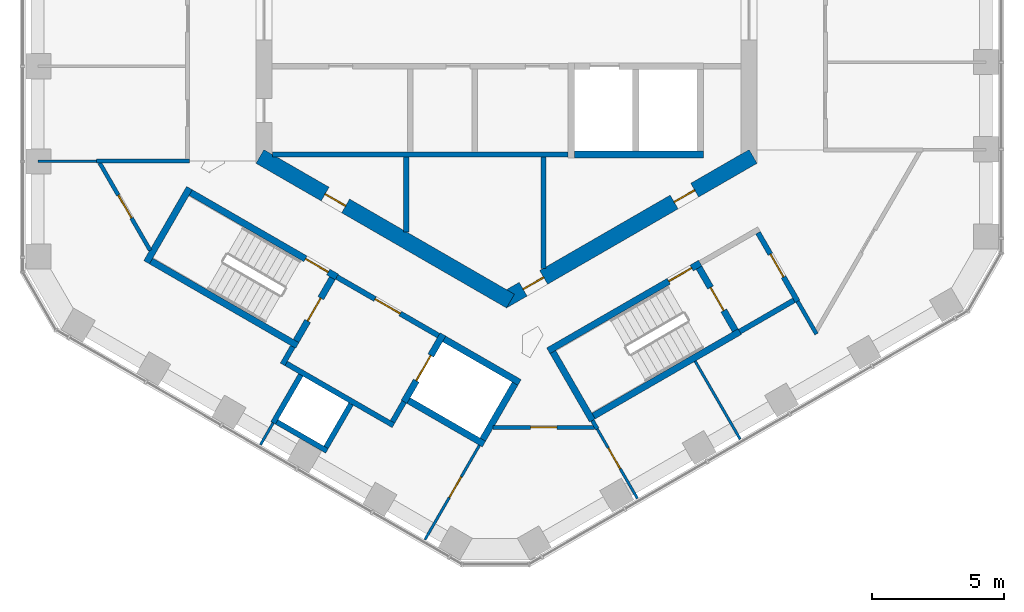
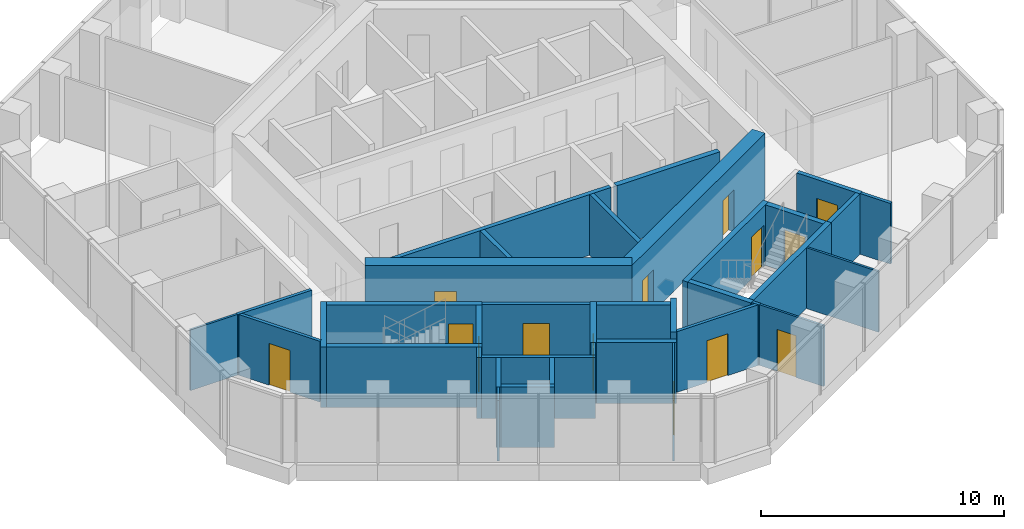
# One storey, part 13 of 18: 37 walls, 14 doors, 14 openings.
"""IFC4 building model written with IfcOpenShell, lengths in metres."""

import ifcopenshell
import ifcopenshell.guid

model = None  # the IFC model being written
_history = None  # IfcOwnerHistory: only IFC2X3 demands one
_inside = {}  # id of a spatial element -> (the spatial element, [elements in it])
_under = {}  # id of a project, library or spatial element -> (it, [spatial elements below it])
_declared = {}  # id of a project -> (the project, [libraries it declares])
_typed = {}  # id of a type object -> (the type object, [elements of that type])
_made_of = {}  # id of a material, layer set ... -> (it, [elements and type objects made of it])


def new_model(schema):
    """Start an empty IFC model of exactly this schema.

    Asked for "IFC4X3", IfcOpenShell would pick the latest addendum, in which some entities
    have other attributes; the version numbers below select the first issue.
    IFC2X3 requires an IfcOwnerHistory on every rooted entity: one is made here for all.
    """
    global model, _history
    if schema == "IFC4X3":
        model = ifcopenshell.file(schema_version=(4, 3, 0, 0))
    else:
        model = ifcopenshell.file(schema=schema)
    _inside.clear()
    _under.clear()
    _declared.clear()
    _typed.clear()
    _made_of.clear()
    _history = None
    if model.schema == "IFC2X3":
        org = make("IfcOrganization", Name="unknown")
        user = make(
            "IfcPersonAndOrganization",
            ThePerson=make("IfcPerson", FamilyName="unknown"),
            TheOrganization=org,
        )
        app = make(
            "IfcApplication",
            ApplicationDeveloper=org,
            Version="unknown",
            ApplicationFullName="unknown",
            ApplicationIdentifier="unknown",
        )
        _history = make(
            "IfcOwnerHistory",
            OwningUser=user,
            OwningApplication=app,
            ChangeAction="ADDED",
            CreationDate=0,
        )
    return model


def make(cls, **values):
    """One entity of the class cls with the attributes given. An attribute that is None is left unset."""
    return model.create_entity(
        cls, **{name: value for name, value in values.items() if value is not None}
    )


def rooted(cls, **values):
    """An entity with a GlobalId (a new one), such as an element, a storey or a relation."""
    return make(cls, GlobalId=ifcopenshell.guid.new(), OwnerHistory=_history, **values)


def si_unit(unit_type, name, prefix=None):
    """IfcSIUnit, for example si_unit("LENGTHUNIT", "METRE", prefix="MILLI")."""
    return make("IfcSIUnit", UnitType=unit_type, Prefix=prefix, Name=name)


def assignment(units):
    """IfcUnitAssignment: the units of a project."""
    return None if units is None else make("IfcUnitAssignment", Units=units)


def point(xyz):
    """IfcCartesianPoint."""
    return None if xyz is None else make("IfcCartesianPoint", Coordinates=xyz)


def direction(xyz):
    """IfcDirection."""
    return None if xyz is None else make("IfcDirection", DirectionRatios=xyz)


def frame(location, z_axis=None, x_axis=None):
    """IfcAxis2Placement3D, a coordinate frame: its origin and axes. An axis left out is left unset."""
    return make(
        "IfcAxis2Placement3D",
        Location=point(location),
        Axis=direction(z_axis),
        RefDirection=direction(x_axis),
    )


def frame_2d(location, x_axis=None):
    """IfcAxis2Placement2D, a coordinate frame in the plane: its origin and x axis."""
    return make(
        "IfcAxis2Placement2D", Location=point(location), RefDirection=direction(x_axis)
    )


def origin():
    """The frame at (0, 0, 0) with its axes left unset."""
    return frame((0.0, 0.0, 0.0))


def place(relative_to, where):
    """IfcLocalPlacement: puts the frame where relative to a parent placement (None: the world)."""
    return make(
        "IfcLocalPlacement", PlacementRelTo=relative_to, RelativePlacement=where
    )


def context(
    kind, dimensions, precision=None, world=None, true_north=None, identifier=None
):
    """IfcGeometricRepresentationContext, for example the 3D "Model" context."""
    return make(
        "IfcGeometricRepresentationContext",
        ContextIdentifier=identifier,
        ContextType=kind,
        CoordinateSpaceDimension=dimensions,
        Precision=precision,
        WorldCoordinateSystem=world,
        TrueNorth=true_north,
    )


def subcontext(parent, identifier, kind, view, scale=None):
    """IfcGeometricRepresentationSubContext, for example "Body" below "Model"."""
    return make(
        "IfcGeometricRepresentationSubContext",
        ContextIdentifier=identifier,
        ContextType=kind,
        ParentContext=parent,
        TargetScale=scale,
        TargetView=view,
    )


def project(units=None, contexts=None):
    """IfcProject with its units and contexts."""
    return rooted(
        "IfcProject",
        Name="project",
        RepresentationContexts=contexts,
        UnitsInContext=assignment(units),
    )


def spatial(cls, under=None, at=None, **own):
    """A site, building, storey or space (cls), placed at a placement, below another one or the project."""
    s = rooted(cls, ObjectPlacement=at, **own)
    if under is not None:
        _under.setdefault(under.id(), (under, []))[1].append(s)
    return s


def profile(cls, at=None, kind="AREA", **sizes):
    """A parametric profile (cls). Its sizes go by their IFC names, for example OverallWidth=200.0."""
    return make(cls, ProfileType=kind, Position=at, **sizes)


def rectangle(**sizes):
    """IfcRectangleProfileDef."""
    return profile("IfcRectangleProfileDef", **sizes)


def extrude(swept, where, along, depth):
    """IfcExtrudedAreaSolid: the profile swept, set in the frame where, extruded along a direction by depth."""
    return make(
        "IfcExtrudedAreaSolid",
        SweptArea=swept,
        Position=where,
        ExtrudedDirection=direction(along),
        Depth=depth,
    )


def shape(context_of_items, identifier, shape_type, items):
    """IfcShapeRepresentation: the items that make up one representation, for example the "Body"."""
    return make(
        "IfcShapeRepresentation",
        ContextOfItems=context_of_items,
        RepresentationIdentifier=identifier,
        RepresentationType=shape_type,
        Items=items,
    )


def material(Name=None, Category=None):
    """IfcMaterial."""
    return make("IfcMaterial", Name=Name, Category=Category)


def layer(
    of_material, thickness, ventilated=None, Name=None, Category=None, Priority=None
):
    """IfcMaterialLayer: one layer of a wall or slab, of a material (None: an air gap)."""
    return make(
        "IfcMaterialLayer",
        Material=of_material,
        LayerThickness=thickness,
        IsVentilated=ventilated,
        Name=Name,
        Category=Category,
        Priority=Priority,
    )


def layer_set(layers, Name=None):
    """IfcMaterialLayerSet."""
    return make("IfcMaterialLayerSet", MaterialLayers=layers, LayerSetName=Name)


def made_of(thing, what):
    """Note that an element or type object is made of a material, layer set ...; save() writes the relation."""
    if what is not None:
        _made_of.setdefault(what.id(), (what, []))[1].append(thing)
    return thing


def type_object(cls, material=None, **own):
    """A type object (cls), such as IfcWallType, which elements share."""
    return made_of(rooted(cls, **own), material)


def element(
    cls,
    number,
    at=None,
    inside=None,
    cuts=None,
    type_object=None,
    material=None,
    context=None,
    identifier="Body",
    shape_type=None,
    held_by="IfcProductDefinitionShape",
    body=None,
    shapes=None,
    **own,
):
    """One element of the class cls, such as IfcWall. Its Tag is "e" and its number.

    at: its placement. inside: the storey or other place that contains it. cuts: it is an
    opening in that element (IfcRelVoidsElement). A single representation is given by context,
    identifier, shape_type and body (its items); several are given by shapes. held_by: the class
    of the entity that holds the representations. save() writes the other relations.
    """
    e = rooted(cls, Tag="e%d" % number, ObjectPlacement=at, **own)
    if body is not None:
        shapes = [shape(context, identifier, shape_type, body)]
    if shapes is not None:
        e.Representation = make(held_by, Representations=shapes)
    if inside is not None:
        _inside.setdefault(inside.id(), (inside, []))[1].append(e)
    if cuts is not None:
        rooted(
            "IfcRelVoidsElement", RelatingBuildingElement=cuts, RelatedOpeningElement=e
        )
    if type_object is not None:
        _typed.setdefault(type_object.id(), (type_object, []))[1].append(e)
    return made_of(e, material)


def fill(opening, filler):
    """IfcRelFillsElement: the door or window that sits in an opening."""
    return rooted(
        "IfcRelFillsElement",
        RelatingOpeningElement=opening,
        RelatedBuildingElement=filler,
    )


def aggregate(whole, parts):
    """IfcRelAggregates: a whole, such as a stair, and the parts it consists of."""
    return rooted("IfcRelAggregates", RelatingObject=whole, RelatedObjects=parts)


def save(model, path):
    """Write the relations noted so far, then the file.

    IfcRelAggregates (storeys below a building ...), IfcRelContainedInSpatialStructure (elements
    in a storey), IfcRelDefinesByType, IfcRelAssociatesMaterial and IfcRelDeclares: one each for
    every whole, place, type object, material and project.
    """
    for whole, parts in _under.values():
        aggregate(whole, parts)
    for where, things in _inside.values():
        rooted(
            "IfcRelContainedInSpatialStructure",
            RelatedElements=things,
            RelatingStructure=where,
        )
    for kind, things in _typed.values():
        rooted("IfcRelDefinesByType", RelatedObjects=things, RelatingType=kind)
    for what, things in _made_of.values():
        rooted("IfcRelAssociatesMaterial", RelatedObjects=things, RelatingMaterial=what)
    for by, libraries in _declared.values():
        rooted("IfcRelDeclares", RelatingContext=by, RelatedDefinitions=libraries)
    model.write(path)


model = new_model("IFC4")

# Units and contexts
model_context = context("Model", 3, precision=1e-05, world=origin(), true_north=direction((0.0, 1.0)))
body_context = subcontext(model_context, "Body", "Model", "MODEL_VIEW")
ifc_project = project(units=[si_unit("LENGTHUNIT", "METRE"), si_unit("AREAUNIT", "SQUARE_METRE"), si_unit("VOLUMEUNIT", "CUBIC_METRE"), si_unit("PLANEANGLEUNIT", "RADIAN"), si_unit("MASSUNIT", "GRAM", prefix="KILO")], contexts=[model_context])

# Site, building, storey
site_placement = place(None, origin())
site = spatial("IfcSite", under=ifc_project, at=site_placement, CompositionType="ELEMENT")
building_placement = place(site_placement, origin())
building = spatial("IfcBuilding", under=site, at=building_placement, Name="Ayvan Gate Tower", CompositionType="ELEMENT")
storey_placement = place(building_placement, frame((0.0, 0.0, 176.5)))
storey = spatial("IfcBuildingStorey", under=building, at=storey_placement, Name="L47", CompositionType="ELEMENT", Elevation=176.5)

# Wall, opening, door
ifc_material_1 = material(Name="Concrete C60/75", Category="concrete")
ifc_layer_1 = layer(ifc_material_1, 0.60009765625)
ifc_layer_set_1 = layer_set([ifc_layer_1], Name="Concrete C60/75")
wall_type_1 = type_object("IfcWallType", Name="Core wall 600 C60/75", PredefinedType="SHEAR", material=ifc_layer_set_1)
wall_1_placement = place(storey_placement, frame((-9.35009765625, -5.22509765625, 0.0), z_axis=(0.0, 0.0, 1.0), x_axis=(0.866023993627, -0.500002442456, 0.0)))
wall_1 = element("IfcWall", 1, at=wall_1_placement, inside=storey, type_object=wall_type_1, Name="CORE-L47-4", PredefinedType="SHEAR", context=body_context, shape_type="SweptSolid", body=[
    extrude(rectangle(XDim=10.9697265625, YDim=0.60009765625, at=frame_2d((5.48486328125, 0.0))), origin(), (0.0, 0.0, 1.0), 3.39990234375),
])
opening_1_placement = place(wall_1_placement, frame((2.85302734375, 0.0, 0.0)))
opening_1 = element("IfcOpeningElement", 2, at=opening_1_placement, cuts=wall_1, Name="Opening L47-D43", PredefinedType="OPENING", context=body_context, shape_type="SweptSolid", body=[
    extrude(rectangle(XDim=0.89990234375, YDim=2.10009765625, at=frame_2d((0.449951171875, 1.050048828125))), frame((0.0, 0.31005859375, 0.0), z_axis=(0.0, -1.0, 0.0), x_axis=(1.0, 0.0, 0.0)), (0.0, 0.0, 1.0), 0.6201171875),
])
ifc_material_2 = material(Name="Timber door leaf", Category="wood")
door_type_1 = type_object("IfcDoorType", Name="DT-900", OperationType="NOTDEFINED", PredefinedType="DOOR", material=ifc_material_2)
door_1_placement = place(opening_1_placement, origin())
door_1 = element("IfcDoor", 3, at=door_1_placement, inside=storey, type_object=door_type_1, Name="CD-L47-43", OperationType="SINGLE_SWING_RIGHT", OverallHeight=2.10009765625, OverallWidth=0.89990234375, PredefinedType="DOOR", context=body_context, shape_type="SweptSolid", body=[
    extrude(rectangle(XDim=0.89990234375, YDim=2.10009765625, at=frame_2d((0.449951171875, 1.050048828125))), frame((0.0, 0.02490234375, 0.0), z_axis=(0.0, -1.0, 0.0), x_axis=(1.0, 0.0, 0.0)), (0.0, 0.0, 1.0), 0.050048828125),
])
fill(opening_1, door_1)

# Wall, openings, doors
wall_2_placement = place(storey_placement, frame((-0.14990234375, -10.7099609375, 0.0), z_axis=(0.0, 0.0, 1.0), x_axis=(0.866023993627, 0.500002442456, 0.0)))
wall_2 = element("IfcWall", 4, at=wall_2_placement, inside=storey, type_object=wall_type_1, Name="CORE-L47-5", PredefinedType="SHEAR", context=body_context, shape_type="SweptSolid", body=[
    extrude(rectangle(XDim=10.9697265625, YDim=0.60009765625, at=frame_2d((5.48486328125, 0.0))), origin(), (0.0, 0.0, 1.0), 3.39990234375),
])
opening_2_placement = place(wall_2_placement, frame((0.89990234375, 0.0, 0.0)))
opening_2 = element("IfcOpeningElement", 5, at=opening_2_placement, cuts=wall_2, Name="Opening L47-D44", PredefinedType="OPENING", context=body_context, shape_type="SweptSolid", body=[
    extrude(rectangle(XDim=0.89990234375, YDim=2.10009765625, at=frame_2d((0.449951171875, 1.050048828125))), frame((0.0, 0.31005859375, 0.0), z_axis=(0.0, -1.0, 0.0), x_axis=(1.0, 0.0, 0.0)), (0.0, 0.0, 1.0), 0.6201171875),
])
opening_3_placement = place(wall_2_placement, frame((7.51220703125, 0.0, 0.0)))
opening_3 = element("IfcOpeningElement", 6, at=opening_3_placement, cuts=wall_2, Name="Opening L47-D45", PredefinedType="OPENING", context=body_context, shape_type="SweptSolid", body=[
    extrude(rectangle(XDim=0.89990234375, YDim=2.10009765625, at=frame_2d((0.449951171875, 1.050048828125))), frame((0.0, 0.31005859375, 0.0), z_axis=(0.0, -1.0, 0.0), x_axis=(1.0, 0.0, 0.0)), (0.0, 0.0, 1.0), 0.6201171875),
])
door_2_placement = place(opening_2_placement, origin())
door_2 = element("IfcDoor", 7, at=door_2_placement, inside=storey, type_object=door_type_1, Name="CD-L47-44", OperationType="SINGLE_SWING_LEFT", OverallHeight=2.10009765625, OverallWidth=0.89990234375, PredefinedType="DOOR", context=body_context, shape_type="SweptSolid", body=[
    extrude(rectangle(XDim=0.89990234375, YDim=2.10009765625, at=frame_2d((0.449951171875, 1.050048828125))), frame((0.0, 0.02490234375, 0.0), z_axis=(0.0, -1.0, 0.0), x_axis=(1.0, 0.0, 0.0)), (0.0, 0.0, 1.0), 0.050048828125),
])
fill(opening_2, door_2)
door_3_placement = place(opening_3_placement, origin())
door_3 = element("IfcDoor", 8, at=door_3_placement, inside=storey, type_object=door_type_1, Name="CD-L47-45", OperationType="SINGLE_SWING_RIGHT", OverallHeight=2.10009765625, OverallWidth=0.89990234375, PredefinedType="DOOR", context=body_context, shape_type="SweptSolid", body=[
    extrude(rectangle(XDim=0.89990234375, YDim=2.10009765625, at=frame_2d((0.449951171875, 1.050048828125))), frame((0.0, 0.02490234375, 0.0), z_axis=(0.0, -1.0, 0.0), x_axis=(1.0, 0.0, 0.0)), (0.0, 0.0, 1.0), 0.050048828125),
])
fill(opening_3, door_3)

# Wall
ifc_material_3 = material(Name="Plasterboard on steel stud", Category="steel")
ifc_layer_2 = layer(ifc_material_3, 0.14990234375)
ifc_layer_set_2 = layer_set([ifc_layer_2], Name="Plasterboard on steel stud")
wall_type_2 = type_object("IfcWallType", Name="WT-CORR-150", PredefinedType="PARTITIONING", material=ifc_layer_set_2)
wall_3_placement = place(storey_placement, frame((-15.540771484375, -5.40478515625, 0.0), z_axis=(0.0, 0.0, 1.0), x_axis=(1.0, 0.0, 0.0)))
element("IfcWall", 9, at=wall_3_placement, inside=storey, type_object=wall_type_2, Name="IW-L47-000", PredefinedType="PARTITIONING", context=body_context, shape_type="SweptSolid", body=[
    extrude(rectangle(XDim=3.515869140625, YDim=0.14990234375, at=frame_2d((1.7578125, 0.0))), origin(), (0.0, 0.0, 1.0), 3.050048828125),
])

# Wall, opening, door
wall_4_placement = place(storey_placement, frame((-13.512451171875, -8.787841796875, 0.0), z_axis=(0.0, 0.0, 1.0), x_axis=(-0.499983520007, 0.866034918304, 0.0)))
wall_4 = element("IfcWall", 10, at=wall_4_placement, inside=storey, type_object=wall_type_2, Name="IW-L47-007", PredefinedType="PARTITIONING", context=body_context, shape_type="SweptSolid", body=[
    extrude(rectangle(XDim=3.831787109375, YDim=0.14990234375, at=frame_2d((1.916015625, 0.0))), origin(), (0.0, 0.0, 1.0), 3.050048828125),
])
opening_4_placement = place(wall_4_placement, frame((1.415771484375, 0.0, 0.0)))
opening_4 = element("IfcOpeningElement", 11, at=opening_4_placement, cuts=wall_4, Name="Opening L47-D32", PredefinedType="OPENING", context=body_context, shape_type="SweptSolid", body=[
    extrude(rectangle(XDim=1.0, YDim=2.10009765625, at=frame_2d((0.5, 1.050048828125))), frame((0.0, 0.0849609375, 0.0), z_axis=(0.0, -1.0, 0.0), x_axis=(1.0, 0.0, 0.0)), (0.0, 0.0, 1.0), 0.169921875),
])
door_type_2 = type_object("IfcDoorType", Name="DT-1000", OperationType="NOTDEFINED", PredefinedType="DOOR", material=ifc_material_2)
door_4_placement = place(opening_4_placement, origin())
door_4 = element("IfcDoor", 12, at=door_4_placement, inside=storey, type_object=door_type_2, Name="ID-L47-032", OperationType="SINGLE_SWING_LEFT", OverallHeight=2.10009765625, OverallWidth=1.0, PredefinedType="DOOR", context=body_context, shape_type="SweptSolid", body=[
    extrude(rectangle(XDim=1.0, YDim=2.10009765625, at=frame_2d((0.5, 1.050048828125))), frame((0.0, 0.02490234375, 0.0), z_axis=(0.0, -1.0, 0.0), x_axis=(1.0, 0.0, 0.0)), (0.0, 0.0, 1.0), 0.050048828125),
])
fill(opening_4, door_4)

# Wall
wall_5_placement = place(storey_placement, frame((3.255615234375, -15.23876953125, 0.0), z_axis=(0.0, 0.0, 1.0), x_axis=(0.499949632511, -0.866054481515, 0.0)))
element("IfcWall", 13, at=wall_5_placement, inside=storey, type_object=wall_type_2, Name="IW-L47-058", PredefinedType="PARTITIONING", context=body_context, shape_type="SweptSolid", body=[
    extrude(rectangle(XDim=0.3720703125, YDim=0.14990234375, at=frame_2d((0.18603515625, 0.0))), origin(), (0.0, 0.0, 1.0), 3.050048828125),
])

# Wall, opening, door
wall_6_placement = place(storey_placement, frame((3.3291015625, -15.49609375, 0.0), z_axis=(0.0, 0.0, 1.0), x_axis=(-1.0, 0.0, 0.0)))
wall_6 = element("IfcWall", 14, at=wall_6_placement, inside=storey, type_object=wall_type_2, Name="IW-L47-061", PredefinedType="PARTITIONING", context=body_context, shape_type="SweptSolid", body=[
    extrude(rectangle(XDim=3.8369140625, YDim=0.14990234375, at=frame_2d((1.91845703125, 0.0))), origin(), (0.0, 0.0, 1.0), 3.050048828125),
])
opening_5_placement = place(wall_6_placement, frame((1.41845703125, 0.0, 0.0)))
opening_5 = element("IfcOpeningElement", 15, at=opening_5_placement, cuts=wall_6, Name="Opening L47-D33", PredefinedType="OPENING", context=body_context, shape_type="SweptSolid", body=[
    extrude(rectangle(XDim=1.0, YDim=2.10009765625, at=frame_2d((0.5, 1.050048828125))), frame((0.0, 0.0849609375, 0.0), z_axis=(0.0, -1.0, 0.0), x_axis=(1.0, 0.0, 0.0)), (0.0, 0.0, 1.0), 0.169921875),
])
door_5_placement = place(opening_5_placement, origin())
door_5 = element("IfcDoor", 16, at=door_5_placement, inside=storey, type_object=door_type_2, Name="ID-L47-033", OperationType="SINGLE_SWING_RIGHT", OverallHeight=2.10009765625, OverallWidth=1.0, PredefinedType="DOOR", context=body_context, shape_type="SweptSolid", body=[
    extrude(rectangle(XDim=1.0, YDim=2.10009765625, at=frame_2d((0.5, 1.050048828125))), frame((0.0, 0.02490234375, 0.0), z_axis=(0.0, -1.0, 0.0), x_axis=(1.0, 0.0, 0.0)), (0.0, 0.0, 1.0), 0.050048828125),
])
fill(opening_5, door_5)

# Walls
wall_7_placement = place(storey_placement, frame((11.75537109375, -11.9609375, 0.0), z_axis=(0.0, 0.0, 1.0), x_axis=(-0.49992355341, 0.866069535745, 0.0)))
element("IfcWall", 17, at=wall_7_placement, inside=storey, type_object=wall_type_2, Name="IW-L47-084", PredefinedType="PARTITIONING", context=body_context, shape_type="SweptSolid", body=[
    extrude(rectangle(XDim=1.436279296875, YDim=0.14990234375, at=frame_2d((0.71826171875, 0.0))), origin(), (0.0, 0.0, 1.0), 3.050048828125),
])
ifc_layer_3 = layer(ifc_material_3, 0.10009765625)
ifc_layer_set_3 = layer_set([ifc_layer_3], Name="Plasterboard on steel stud")
wall_type_3 = type_object("IfcWallType", Name="WT-PART-100", PredefinedType="PARTITIONING", material=ifc_layer_set_3)
wall_8_placement = place(storey_placement, frame((-15.54052734375, -5.40478515625, 0.0), z_axis=(0.0, 0.0, 1.0), x_axis=(-1.0, 0.0, 0.0)))
element("IfcWall", 18, at=wall_8_placement, inside=storey, type_object=wall_type_3, Name="IW-L47-003", PredefinedType="PARTITIONING", context=body_context, shape_type="SweptSolid", body=[
    extrude(rectangle(XDim=2.23046875, YDim=0.10009765625, at=frame_2d((1.115234375, 0.0))), origin(), (0.0, 0.0, 1.0), 3.050048828125),
])
wall_9_placement = place(storey_placement, frame((-9.328857421875, -16.157958984375, 0.0), z_axis=(0.0, 0.0, 1.0), x_axis=(0.499950501706, 0.866053979752, 0.0)))
element("IfcWall", 19, at=wall_9_placement, inside=storey, type_object=wall_type_3, Name="IW-L47-021", PredefinedType="PARTITIONING", context=body_context, shape_type="SweptSolid", body=[
    extrude(rectangle(XDim=0.95751953125, YDim=0.10009765625, at=frame_2d((0.478759765625, 0.0))), origin(), (0.0, 0.0, 1.0), 3.050048828125),
])

# Wall, opening, door
wall_10_placement = place(storey_placement, frame((-3.093505859375, -19.7578125, 0.0), z_axis=(0.0, 0.0, 1.0), x_axis=(0.500027577057, 0.866009481578, 0.0)))
wall_10 = element("IfcWall", 20, at=wall_10_placement, inside=storey, type_object=wall_type_3, Name="IW-L47-039", PredefinedType="PARTITIONING", context=body_context, shape_type="SweptSolid", body=[
    extrude(rectangle(XDim=4.132568359375, YDim=0.10009765625, at=frame_2d((2.06640625, 0.0))), origin(), (0.0, 0.0, 1.0), 3.050048828125),
])
opening_6_placement = place(wall_10_placement, frame((1.851806640625, 0.0, 0.0)))
opening_6 = element("IfcOpeningElement", 21, at=opening_6_placement, cuts=wall_10, Name="Opening L47-D34", PredefinedType="OPENING", context=body_context, shape_type="SweptSolid", body=[
    extrude(rectangle(XDim=0.89990234375, YDim=2.10009765625, at=frame_2d((0.449951171875, 1.050048828125))), frame((0.0, 0.06005859375, 0.0), z_axis=(0.0, -1.0, 0.0), x_axis=(1.0, 0.0, 0.0)), (0.0, 0.0, 1.0), 0.1201171875),
])
door_6_placement = place(opening_6_placement, origin())
door_6 = element("IfcDoor", 22, at=door_6_placement, inside=storey, type_object=door_type_1, Name="ID-L47-034", OperationType="SINGLE_SWING_LEFT", OverallHeight=2.10009765625, OverallWidth=0.89990234375, PredefinedType="DOOR", context=body_context, shape_type="SweptSolid", body=[
    extrude(rectangle(XDim=0.89990234375, YDim=2.10009765625, at=frame_2d((0.449951171875, 1.050048828125))), frame((0.0, 0.02490234375, 0.0), z_axis=(0.0, -1.0, 0.0), x_axis=(1.0, 0.0, 0.0)), (0.0, 0.0, 1.0), 0.050048828125),
])
fill(opening_6, door_6)

wall_11_placement = place(storey_placement, frame((3.441650390625, -15.56103515625, 0.0), z_axis=(0.0, 0.0, 1.0), x_axis=(0.500002389912, -0.866024023964, 0.0)))
wall_11 = element("IfcWall", 23, at=wall_11_placement, inside=storey, type_object=wall_type_3, Name="IW-L47-062", PredefinedType="PARTITIONING", context=body_context, shape_type="SweptSolid", body=[
    extrude(rectangle(XDim=3.044921875, YDim=0.10009765625, at=frame_2d((1.5224609375, 0.0))), origin(), (0.0, 0.0, 1.0), 3.050048828125),
])
opening_7_placement = place(wall_11_placement, frame((0.8369140625, 0.0, 0.0)))
opening_7 = element("IfcOpeningElement", 24, at=opening_7_placement, cuts=wall_11, Name="Opening L47-D35", PredefinedType="OPENING", context=body_context, shape_type="SweptSolid", body=[
    extrude(rectangle(XDim=0.89990234375, YDim=2.10009765625, at=frame_2d((0.449951171875, 1.050048828125))), frame((0.0, 0.06005859375, 0.0), z_axis=(0.0, -1.0, 0.0), x_axis=(1.0, 0.0, 0.0)), (0.0, 0.0, 1.0), 0.1201171875),
])
door_7_placement = place(opening_7_placement, origin())
door_7 = element("IfcDoor", 25, at=door_7_placement, inside=storey, type_object=door_type_1, Name="ID-L47-035", OperationType="SINGLE_SWING_RIGHT", OverallHeight=2.10009765625, OverallWidth=0.89990234375, PredefinedType="DOOR", context=body_context, shape_type="SweptSolid", body=[
    extrude(rectangle(XDim=0.89990234375, YDim=2.10009765625, at=frame_2d((0.449951171875, 1.050048828125))), frame((0.0, 0.02490234375, 0.0), z_axis=(0.0, -1.0, 0.0), x_axis=(1.0, 0.0, 0.0)), (0.0, 0.0, 1.0), 0.050048828125),
])
fill(opening_7, door_7)

# Walls
wall_12_placement = place(storey_placement, frame((7.152587890625, -12.98876953125, 0.0), z_axis=(0.0, 0.0, 1.0), x_axis=(0.4999966448, -0.866027340901, 0.0)))
element("IfcWall", 26, at=wall_12_placement, inside=storey, type_object=wall_type_3, Name="IW-L47-071", PredefinedType="PARTITIONING", context=body_context, shape_type="SweptSolid", body=[
    extrude(rectangle(XDim=3.4169921875, YDim=0.10009765625, at=frame_2d((1.70849609375, 0.0))), origin(), (0.0, 0.0, 1.0), 3.050048828125),
])
ifc_layer_4 = layer(ifc_material_3, 0.199951171875)
ifc_layer_set_4 = layer_set([ifc_layer_4], Name="Plasterboard on steel stud")
wall_type_4 = type_object("IfcWallType", Name="WT-PLUMB-200", PredefinedType="PLUMBINGWALL", material=ifc_layer_set_4)
wall_13_placement = place(storey_placement, frame((-8.85009765625, -15.32861328125, 0.0), z_axis=(0.0, 0.0, 1.0), x_axis=(0.500027713859, 0.866009402589, 0.0)))
element("IfcWall", 27, at=wall_13_placement, inside=storey, type_object=wall_type_4, Name="IW-L47-018", PredefinedType="PLUMBINGWALL", context=body_context, shape_type="SweptSolid", body=[
    extrude(rectangle(XDim=2.10009765625, YDim=0.199951171875, at=frame_2d((1.050048828125, 0.0))), origin(), (0.0, 0.0, 1.0), 3.050048828125),
])
wall_14_placement = place(storey_placement, frame((-6.80810546875, -16.39208984375, 0.0), z_axis=(0.0, 0.0, 1.0), x_axis=(-0.866008176907, 0.50002983664, 0.0)))
element("IfcWall", 28, at=wall_14_placement, inside=storey, type_object=wall_type_4, Name="IW-L47-026", PredefinedType="PLUMBINGWALL", context=body_context, shape_type="SweptSolid", body=[
    extrude(rectangle(XDim=2.199951171875, YDim=0.199951171875, at=frame_2d((1.10009765625, 0.0))), origin(), (0.0, 0.0, 1.0), 3.050048828125),
])
wall_15_placement = place(storey_placement, frame((-5.894775390625, -14.610107421875, 0.0), z_axis=(0.0, 0.0, 1.0), x_axis=(-0.500022797313, -0.86601224135, 0.0)))
element("IfcWall", 29, at=wall_15_placement, inside=storey, type_object=wall_type_4, Name="IW-L47-030", PredefinedType="PLUMBINGWALL", context=body_context, shape_type="SweptSolid", body=[
    extrude(rectangle(XDim=1.89990234375, YDim=0.199951171875, at=frame_2d((0.949951171875, 0.0))), origin(), (0.0, 0.0, 1.0), 3.050048828125),
])
ifc_layer_5 = layer(ifc_material_3, 0.199951171875)
ifc_layer_set_5 = layer_set([ifc_layer_5], Name="Plasterboard on steel stud")
wall_type_5 = type_object("IfcWallType", Name="WT-RATED-200", PredefinedType="PARTITIONING", material=ifc_layer_set_5)
wall_16_placement = place(storey_placement, frame((-8.8798828125, -5.14990234375, 0.0), z_axis=(0.0, 0.0, 1.0), x_axis=(1.0, 0.0, 0.0)))
element("IfcWall", 30, at=wall_16_placement, inside=storey, type_object=wall_type_5, Name="IW-L47-017", PredefinedType="PARTITIONING", context=body_context, shape_type="SweptSolid", body=[
    extrude(rectangle(XDim=11.205078125, YDim=0.199951171875, at=frame_2d((5.6025390625, 0.0))), origin(), (0.0, 0.0, 1.0), 3.050048828125),
])
wall_17_placement = place(storey_placement, frame((-8.492919921875, -13.110107421875, 0.0), z_axis=(0.0, 0.0, 1.0), x_axis=(0.500067724834, 0.865986299303, 0.0)))
element("IfcWall", 31, at=wall_17_placement, inside=storey, type_object=wall_type_5, Name="IW-L47-019", PredefinedType="PARTITIONING", context=body_context, shape_type="SweptSolid", body=[
    extrude(rectangle(XDim=0.775390625, YDim=0.199951171875, at=frame_2d((0.3876953125, 0.0))), origin(), (0.0, 0.0, 1.0), 3.050048828125),
])
wall_18_placement = place(storey_placement, frame((-8.356201171875, -13.073486328125, 0.0), z_axis=(0.0, 0.0, 1.0), x_axis=(0.866038532462, -0.499977259774, 0.0)))
element("IfcWall", 32, at=wall_18_placement, inside=storey, type_object=wall_type_5, Name="IW-L47-022", PredefinedType="PARTITIONING", context=body_context, shape_type="SweptSolid", body=[
    extrude(rectangle(XDim=4.699951171875, YDim=0.199951171875, at=frame_2d((2.35009765625, 0.0))), origin(), (0.0, 0.0, 1.0), 3.050048828125),
])

# Wall, opening, door
wall_19_placement = place(storey_placement, frame((-6.4345703125, -9.794921875, 0.0), z_axis=(0.0, 0.0, 1.0), x_axis=(0.866012907634, -0.500021643343, 0.0)))
wall_19 = element("IfcWall", 33, at=wall_19_placement, inside=storey, type_object=wall_type_5, Name="IW-L47-029", PredefinedType="PARTITIONING", context=body_context, shape_type="SweptSolid", body=[
    extrude(rectangle(XDim=4.449951171875, YDim=0.199951171875, at=frame_2d((2.22509765625, 0.0))), origin(), (0.0, 0.0, 1.0), 3.050048828125),
])
opening_8_placement = place(wall_19_placement, frame((1.675048828125, 0.0, 0.0)))
opening_8 = element("IfcOpeningElement", 34, at=opening_8_placement, cuts=wall_19, Name="Opening L47-D17", PredefinedType="OPENING", context=body_context, shape_type="SweptSolid", body=[
    extrude(rectangle(XDim=1.10009765625, YDim=2.10009765625, at=frame_2d((0.550048828125, 1.050048828125))), frame((0.0, 0.10986328125, 0.0), z_axis=(0.0, -1.0, 0.0), x_axis=(1.0, 0.0, 0.0)), (0.0, 0.0, 1.0), 0.219970703125),
])
door_type_3 = type_object("IfcDoorType", Name="DT-1100", OperationType="NOTDEFINED", PredefinedType="DOOR", material=ifc_material_2)
door_8_placement = place(opening_8_placement, origin())
door_8 = element("IfcDoor", 35, at=door_8_placement, inside=storey, type_object=door_type_3, Name="ID-L47-017", OperationType="SINGLE_SWING_RIGHT", OverallHeight=2.10009765625, OverallWidth=1.10009765625, PredefinedType="DOOR", context=body_context, shape_type="SweptSolid", body=[
    extrude(rectangle(XDim=1.10009765625, YDim=2.10009765625, at=frame_2d((0.550048828125, 1.050048828125))), frame((0.0, 0.02490234375, 0.0), z_axis=(0.0, -1.0, 0.0), x_axis=(1.0, 0.0, 0.0)), (0.0, 0.0, 1.0), 0.050048828125),
])
fill(opening_8, door_8)

# Walls
wall_20_placement = place(storey_placement, frame((-3.885009765625, -14.52880859375, 0.0), z_axis=(0.0, 0.0, 1.0), x_axis=(-0.499859285417, -0.866106630146, 0.0)))
element("IfcWall", 36, at=wall_20_placement, inside=storey, type_object=wall_type_5, Name="IW-L47-033", PredefinedType="PARTITIONING", context=body_context, shape_type="SweptSolid", body=[
    extrude(rectangle(XDim=0.875244140625, YDim=0.199951171875, at=frame_2d((0.4375, 0.0))), origin(), (0.0, 0.0, 1.0), 3.050048828125),
])
wall_21_placement = place(storey_placement, frame((-3.800048828125, -5.25, 0.0), z_axis=(0.0, 0.0, 1.0), x_axis=(0.0, -1.0, 0.0)))
element("IfcWall", 37, at=wall_21_placement, inside=storey, type_object=wall_type_5, Name="IW-L47-034", PredefinedType="PARTITIONING", context=body_context, shape_type="SweptSolid", body=[
    extrude(rectangle(XDim=2.8330078125, YDim=0.199951171875, at=frame_2d((1.41650390625, 0.0))), origin(), (0.0, 0.0, 1.0), 3.050048828125),
])
wall_22_placement = place(storey_placement, frame((1.39990234375, -5.25, 0.0), z_axis=(0.0, 0.0, 1.0), x_axis=(0.0, -1.0, 0.0)))
element("IfcWall", 38, at=wall_22_placement, inside=storey, type_object=wall_type_5, Name="IW-L47-052", PredefinedType="PARTITIONING", context=body_context, shape_type="SweptSolid", body=[
    extrude(rectangle(XDim=4.218505859375, YDim=0.199951171875, at=frame_2d((2.109375, 0.0))), origin(), (0.0, 0.0, 1.0), 3.050048828125),
])

# Wall, opening, door
wall_23_placement = place(storey_placement, frame((9.537353515625, -8.119140625, 0.0), z_axis=(0.0, 0.0, 1.0), x_axis=(0.499990139034, -0.866031096941, 0.0)))
wall_23 = element("IfcWall", 39, at=wall_23_placement, inside=storey, type_object=wall_type_5, Name="IW-L47-082", PredefinedType="PARTITIONING", context=body_context, shape_type="SweptSolid", body=[
    extrude(rectangle(XDim=3.0, YDim=0.199951171875, at=frame_2d((1.5, 0.0))), origin(), (0.0, 0.0, 1.0), 3.050048828125),
])
opening_9_placement = place(wall_23_placement, frame((0.93505859375, 0.0, 0.0)))
opening_9 = element("IfcOpeningElement", 40, at=opening_9_placement, cuts=wall_23, Name="Opening L47-D20", PredefinedType="OPENING", context=body_context, shape_type="SweptSolid", body=[
    extrude(rectangle(XDim=1.0, YDim=2.10009765625, at=frame_2d((0.5, 1.050048828125))), frame((0.0, 0.10986328125, 0.0), z_axis=(0.0, -1.0, 0.0), x_axis=(1.0, 0.0, 0.0)), (0.0, 0.0, 1.0), 0.219970703125),
])
door_9_placement = place(opening_9_placement, origin())
door_9 = element("IfcDoor", 41, at=door_9_placement, inside=storey, type_object=door_type_2, Name="ID-L47-020", OperationType="SINGLE_SWING_LEFT", OverallHeight=2.10009765625, OverallWidth=1.0, PredefinedType="DOOR", context=body_context, shape_type="SweptSolid", body=[
    extrude(rectangle(XDim=1.0, YDim=2.10009765625, at=frame_2d((0.5, 1.050048828125))), frame((0.0, 0.02490234375, 0.0), z_axis=(0.0, -1.0, 0.0), x_axis=(1.0, 0.0, 0.0)), (0.0, 0.0, 1.0), 0.050048828125),
])
fill(opening_9, door_9)

# Walls
wall_24_placement = place(storey_placement, frame((10.900634765625, -10.6806640625, 0.0), z_axis=(0.0, 0.0, 1.0), x_axis=(-0.866007538022, -0.500030943131, 0.0)))
element("IfcWall", 42, at=wall_24_placement, inside=storey, type_object=wall_type_5, Name="IW-L47-083", PredefinedType="PARTITIONING", context=body_context, shape_type="SweptSolid", body=[
    extrude(rectangle(XDim=2.374755859375, YDim=0.199951171875, at=frame_2d((1.1875, 0.0))), origin(), (0.0, 0.0, 1.0), 3.050048828125),
])
ifc_material_4 = material(Name="Concrete C50/60", Category="concrete")
ifc_layer_6 = layer(ifc_material_4, 0.25)
ifc_layer_set_6 = layer_set([ifc_layer_6], Name="Concrete C50/60")
wall_type_6 = type_object("IfcWallType", Name="WT-RC-250", PredefinedType="SHEAR", material=ifc_layer_set_6)
wall_25_placement = place(storey_placement, frame((-13.64794921875, -9.23876953125, 0.0), z_axis=(0.0, 0.0, 1.0), x_axis=(0.500017246033, 0.866015446554, 0.0)))
element("IfcWall", 43, at=wall_25_placement, inside=storey, type_object=wall_type_6, Name="IW-L47-006", PredefinedType="SHEAR", context=body_context, shape_type="SweptSolid", body=[
    extrude(rectangle(XDim=3.25, YDim=0.25, at=frame_2d((1.625, 0.0))), origin(), (0.0, 0.0, 1.0), 3.050048828125),
])

# Wall, opening, door
wall_26_placement = place(storey_placement, frame((-11.97705078125, -6.594970703125, 0.0), z_axis=(0.0, 0.0, 1.0), x_axis=(0.866025499775, -0.499999833739, 0.0)))
wall_26 = element("IfcWall", 44, at=wall_26_placement, inside=storey, type_object=wall_type_6, Name="IW-L47-014", PredefinedType="SHEAR", context=body_context, shape_type="SweptSolid", body=[
    extrude(rectangle(XDim=6.39990234375, YDim=0.25, at=frame_2d((3.199951171875, 0.0))), origin(), (0.0, 0.0, 1.0), 3.050048828125),
])
opening_10_placement = place(wall_26_placement, frame((5.02490234375, 0.0, 0.0)))
opening_10 = element("IfcOpeningElement", 45, at=opening_10_placement, cuts=wall_26, Name="Opening L47-D15", PredefinedType="OPENING", context=body_context, shape_type="SweptSolid", body=[
    extrude(rectangle(XDim=1.0, YDim=2.10009765625, at=frame_2d((0.5, 1.050048828125))), frame((0.0, 0.135009765625, 0.0), z_axis=(0.0, -1.0, 0.0), x_axis=(1.0, 0.0, 0.0)), (0.0, 0.0, 1.0), 0.27001953125),
])
door_10_placement = place(opening_10_placement, origin())
door_10 = element("IfcDoor", 46, at=door_10_placement, inside=storey, type_object=door_type_2, Name="ID-L47-015", OperationType="SINGLE_SWING_RIGHT", OverallHeight=2.10009765625, OverallWidth=1.0, PredefinedType="DOOR", context=body_context, shape_type="SweptSolid", body=[
    extrude(rectangle(XDim=1.0, YDim=2.10009765625, at=frame_2d((0.5, 1.050048828125))), frame((0.0, 0.02490234375, 0.0), z_axis=(0.0, -1.0, 0.0), x_axis=(1.0, 0.0, 0.0)), (0.0, 0.0, 1.0), 0.050048828125),
])
fill(opening_10, door_10)

# Wall
wall_27_placement = place(storey_placement, frame((-7.9345703125, -12.39306640625, 0.0), z_axis=(0.0, 0.0, 1.0), x_axis=(-0.866025499775, 0.499999833739, 0.0)))
element("IfcWall", 47, at=wall_27_placement, inside=storey, type_object=wall_type_6, Name="IW-L47-020", PredefinedType="SHEAR", context=body_context, shape_type="SweptSolid", body=[
    extrude(rectangle(XDim=6.39990234375, YDim=0.25, at=frame_2d((3.199951171875, 0.0))), origin(), (0.0, 0.0, 1.0), 3.050048828125),
])

# Wall, opening, door
wall_28_placement = place(storey_placement, frame((-6.605224609375, -9.8408203125, 0.0), z_axis=(0.0, 0.0, 1.0), x_axis=(-0.499996545922, -0.866027397988, 0.0)))
wall_28 = element("IfcWall", 48, at=wall_28_placement, inside=storey, type_object=wall_type_6, Name="IW-L47-028", PredefinedType="SHEAR", context=body_context, shape_type="SweptSolid", body=[
    extrude(rectangle(XDim=2.75, YDim=0.25, at=frame_2d((1.375, 0.0))), origin(), (0.0, 0.0, 1.0), 3.050048828125),
])
opening_11_placement = place(wall_28_placement, frame((0.875, 0.0, 0.0)))
opening_11 = element("IfcOpeningElement", 49, at=opening_11_placement, cuts=wall_28, Name="Opening L47-D16", PredefinedType="OPENING", context=body_context, shape_type="SweptSolid", body=[
    extrude(rectangle(XDim=1.0, YDim=2.10009765625, at=frame_2d((0.5, 1.050048828125))), frame((0.0, 0.135009765625, 0.0), z_axis=(0.0, -1.0, 0.0), x_axis=(1.0, 0.0, 0.0)), (0.0, 0.0, 1.0), 0.27001953125),
])
door_11_placement = place(opening_11_placement, origin())
door_11 = element("IfcDoor", 50, at=door_11_placement, inside=storey, type_object=door_type_2, Name="ID-L47-016", OperationType="SINGLE_SWING_LEFT", OverallHeight=2.10009765625, OverallWidth=1.0, PredefinedType="DOOR", context=body_context, shape_type="SweptSolid", body=[
    extrude(rectangle(XDim=1.0, YDim=2.10009765625, at=frame_2d((0.5, 1.050048828125))), frame((0.0, 0.02490234375, 0.0), z_axis=(0.0, -1.0, 0.0), x_axis=(1.0, 0.0, 0.0)), (0.0, 0.0, 1.0), 0.050048828125),
])
fill(opening_11, door_11)

wall_29_placement = place(storey_placement, frame((-2.409912109375, -11.97412109375, 0.0), z_axis=(0.0, 0.0, 1.0), x_axis=(-0.500001826776, -0.866024349092, 0.0)))
wall_29 = element("IfcWall", 51, at=wall_29_placement, inside=storey, type_object=wall_type_6, Name="IW-L47-040", PredefinedType="SHEAR", context=body_context, shape_type="SweptSolid", body=[
    extrude(rectangle(XDim=2.9501953125, YDim=0.25, at=frame_2d((1.47509765625, 0.0))), origin(), (0.0, 0.0, 1.0), 3.050048828125),
])
opening_12_placement = place(wall_29_placement, frame((0.925048828125, 0.0, 0.0)))
opening_12 = element("IfcOpeningElement", 52, at=opening_12_placement, cuts=wall_29, Name="Opening L47-LD-FF2", PredefinedType="OPENING", context=body_context, shape_type="SweptSolid", body=[
    extrude(rectangle(XDim=1.10009765625, YDim=2.10009765625, at=frame_2d((0.550048828125, 1.050048828125))), frame((0.0, 0.135009765625, 0.0), z_axis=(0.0, -1.0, 0.0), x_axis=(1.0, 0.0, 0.0)), (0.0, 0.0, 1.0), 0.27001953125),
])
ifc_material_5 = material(Name="Stainless steel landing door", Category="steel")
door_type_4 = type_object("IfcDoorType", Name="DT-LANDING-1100", OperationType="SLIDING_TO_LEFT", PredefinedType="DOOR", material=ifc_material_5)
door_12_placement = place(opening_12_placement, origin())
door_12 = element("IfcDoor", 53, at=door_12_placement, inside=storey, type_object=door_type_4, Name="ID-L47-018", OperationType="SLIDING_TO_LEFT", OverallHeight=2.10009765625, OverallWidth=1.10009765625, PredefinedType="DOOR", context=body_context, shape_type="SweptSolid", body=[
    extrude(rectangle(XDim=1.10009765625, YDim=2.10009765625, at=frame_2d((0.550048828125, 1.050048828125))), frame((0.0, 0.02490234375, 0.0), z_axis=(0.0, -1.0, 0.0), x_axis=(1.0, 0.0, 0.0)), (0.0, 0.0, 1.0), 0.050048828125),
])
fill(opening_12, door_12)

# Walls
wall_30_placement = place(storey_placement, frame((-2.3642578125, -12.14501953125, 0.0), z_axis=(0.0, 0.0, 1.0), x_axis=(0.866040211805, -0.499974350878, 0.0)))
element("IfcWall", 54, at=wall_30_placement, inside=storey, type_object=wall_type_6, Name="IW-L47-041", PredefinedType="SHEAR", context=body_context, shape_type="SweptSolid", body=[
    extrude(rectangle(XDim=3.300048828125, YDim=0.25, at=frame_2d((1.64990234375, 0.0))), origin(), (0.0, 0.0, 1.0), 3.050048828125),
])
wall_31_placement = place(storey_placement, frame((-0.8564453125, -16.13330078125, 0.0), z_axis=(0.0, 0.0, 1.0), x_axis=(-0.866021716278, 0.500006386895, 0.0)))
element("IfcWall", 55, at=wall_31_placement, inside=storey, type_object=wall_type_6, Name="IW-L47-046", PredefinedType="SHEAR", context=body_context, shape_type="SweptSolid", body=[
    extrude(rectangle(XDim=3.2998046875, YDim=0.25, at=frame_2d((1.64990234375, 0.0))), origin(), (0.0, 0.0, 1.0), 3.050048828125),
])
wall_32_placement = place(storey_placement, frame((-0.902099609375, -15.96240234375, 0.0), z_axis=(0.0, 0.0, 1.0), x_axis=(0.500061746146, 0.865989751695, 0.0)))
element("IfcWall", 56, at=wall_32_placement, inside=storey, type_object=wall_type_6, Name="IW-L47-047", PredefinedType="SHEAR", context=body_context, shape_type="SweptSolid", body=[
    extrude(rectangle(XDim=2.449951171875, YDim=0.25, at=frame_2d((1.22509765625, 0.0))), origin(), (0.0, 0.0, 1.0), 3.39990234375),
])

# Wall, opening, door
wall_33_placement = place(storey_placement, frame((1.584716796875, -12.594970703125, 0.0), z_axis=(0.0, 0.0, 1.0), x_axis=(0.866036417653, 0.499980922934, 0.0)))
wall_33 = element("IfcWall", 57, at=wall_33_placement, inside=storey, type_object=wall_type_6, Name="IW-L47-053", PredefinedType="SHEAR", context=body_context, shape_type="SweptSolid", body=[
    extrude(rectangle(XDim=6.650146484375, YDim=0.25, at=frame_2d((3.3251953125, 0.0))), origin(), (0.0, 0.0, 1.0), 3.050048828125),
])
opening_13_placement = place(wall_33_placement, frame((5.27490234375, 0.0, 0.0)))
opening_13 = element("IfcOpeningElement", 58, at=opening_13_placement, cuts=wall_33, Name="Opening L47-D19", PredefinedType="OPENING", context=body_context, shape_type="SweptSolid", body=[
    extrude(rectangle(XDim=1.0, YDim=2.10009765625, at=frame_2d((0.5, 1.050048828125))), frame((0.0, 0.135009765625, 0.0), z_axis=(0.0, -1.0, 0.0), x_axis=(1.0, 0.0, 0.0)), (0.0, 0.0, 1.0), 0.27001953125),
])
door_13_placement = place(opening_13_placement, origin())
door_13 = element("IfcDoor", 59, at=door_13_placement, inside=storey, type_object=door_type_2, Name="ID-L47-019", OperationType="SINGLE_SWING_RIGHT", OverallHeight=2.10009765625, OverallWidth=1.0, PredefinedType="DOOR", context=body_context, shape_type="SweptSolid", body=[
    extrude(rectangle(XDim=1.0, YDim=2.10009765625, at=frame_2d((0.5, 1.050048828125))), frame((0.0, 0.02490234375, 0.0), z_axis=(0.0, -1.0, 0.0), x_axis=(1.0, 0.0, 0.0)), (0.0, 0.0, 1.0), 0.050048828125),
])
fill(opening_13, door_13)

# Walls
wall_34_placement = place(storey_placement, frame((3.255615234375, -15.23876953125, 0.0), z_axis=(0.0, 0.0, 1.0), x_axis=(-0.50002537861, 0.866010750942, 0.0)))
element("IfcWall", 60, at=wall_34_placement, inside=storey, type_object=wall_type_6, Name="IW-L47-059", PredefinedType="SHEAR", context=body_context, shape_type="SweptSolid", body=[
    extrude(rectangle(XDim=2.999755859375, YDim=0.25, at=frame_2d((1.5, 0.0))), origin(), (0.0, 0.0, 1.0), 3.050048828125),
])
wall_35_placement = place(storey_placement, frame((2.574951171875, -5.14990234375, 0.0), z_axis=(0.0, 0.0, 1.0), x_axis=(1.0, 0.0, 0.0)))
element("IfcWall", 61, at=wall_35_placement, inside=storey, type_object=wall_type_6, Name="IW-L47-065", PredefinedType="SHEAR", context=body_context, shape_type="SweptSolid", body=[
    extrude(rectangle(XDim=4.900146484375, YDim=0.25, at=frame_2d((2.4501953125, 0.0))), origin(), (0.0, 0.0, 1.0), 3.050048828125),
])
wall_36_placement = place(storey_placement, frame((3.30126953125, -15.068115234375, 0.0), z_axis=(0.0, 0.0, 1.0), x_axis=(0.866035036182, 0.499983315828, 0.0)))
element("IfcWall", 62, at=wall_36_placement, inside=storey, type_object=wall_type_6, Name="IW-L47-072", PredefinedType="SHEAR", context=body_context, shape_type="SweptSolid", body=[
    extrude(rectangle(XDim=6.400146484375, YDim=0.25, at=frame_2d((3.2001953125, 0.0))), origin(), (0.0, 0.0, 1.0), 3.050048828125),
])

# Wall, opening, door
wall_37_placement = place(storey_placement, frame((7.298095703125, -9.44091796875, 0.0), z_axis=(0.0, 0.0, 1.0), x_axis=(0.500034990121, -0.866005201286, 0.0)))
wall_37 = element("IfcWall", 63, at=wall_37_placement, inside=storey, type_object=wall_type_6, Name="IW-L47-073", PredefinedType="SHEAR", context=body_context, shape_type="SweptSolid", body=[
    extrude(rectangle(XDim=2.749755859375, YDim=0.25, at=frame_2d((1.375, 0.0))), origin(), (0.0, 0.0, 1.0), 3.050048828125),
])
opening_14_placement = place(wall_37_placement, frame((0.875, 0.0, 0.0)))
opening_14 = element("IfcOpeningElement", 64, at=opening_14_placement, cuts=wall_37, Name="Opening L47-D21", PredefinedType="OPENING", context=body_context, shape_type="SweptSolid", body=[
    extrude(rectangle(XDim=1.0, YDim=2.10009765625, at=frame_2d((0.5, 1.050048828125))), frame((0.0, 0.135009765625, 0.0), z_axis=(0.0, -1.0, 0.0), x_axis=(1.0, 0.0, 0.0)), (0.0, 0.0, 1.0), 0.27001953125),
])
door_14_placement = place(opening_14_placement, origin())
door_14 = element("IfcDoor", 65, at=door_14_placement, inside=storey, type_object=door_type_2, Name="ID-L47-021", OperationType="SINGLE_SWING_RIGHT", OverallHeight=2.10009765625, OverallWidth=1.0, PredefinedType="DOOR", context=body_context, shape_type="SweptSolid", body=[
    extrude(rectangle(XDim=1.0, YDim=2.10009765625, at=frame_2d((0.5, 1.050048828125))), frame((0.0, 0.02490234375, 0.0), z_axis=(0.0, -1.0, 0.0), x_axis=(1.0, 0.0, 0.0)), (0.0, 0.0, 1.0), 0.050048828125),
])
fill(opening_14, door_14)

save(model, "model.ifc")
